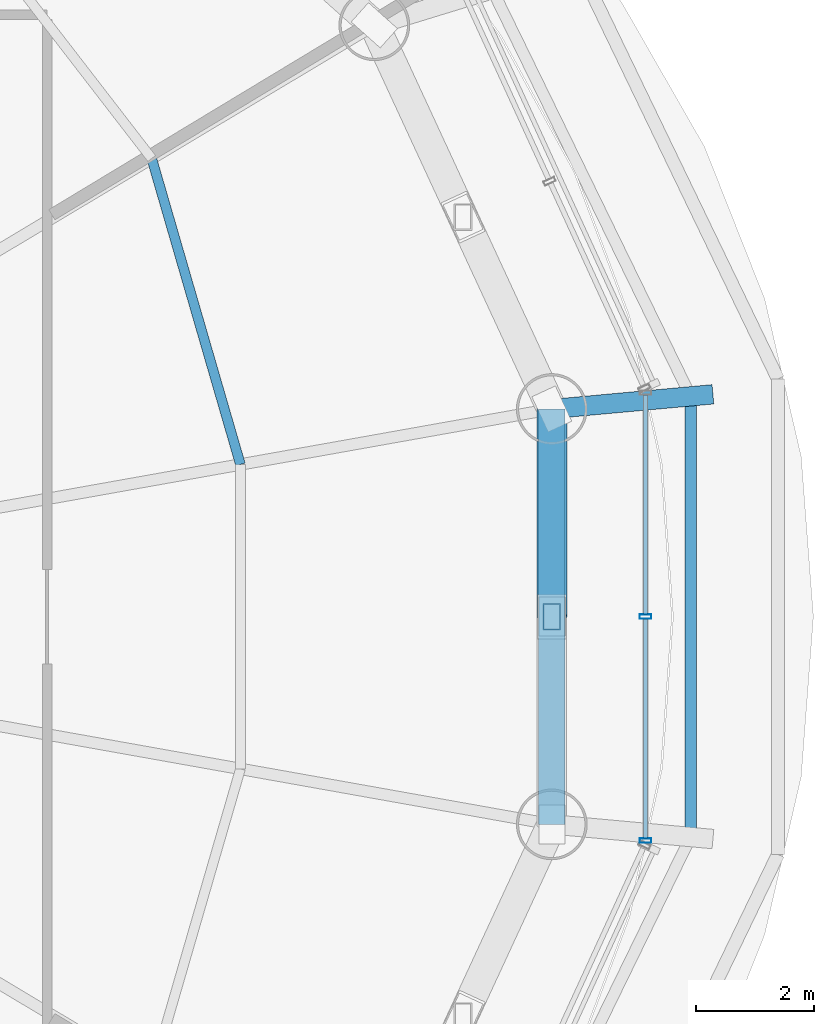
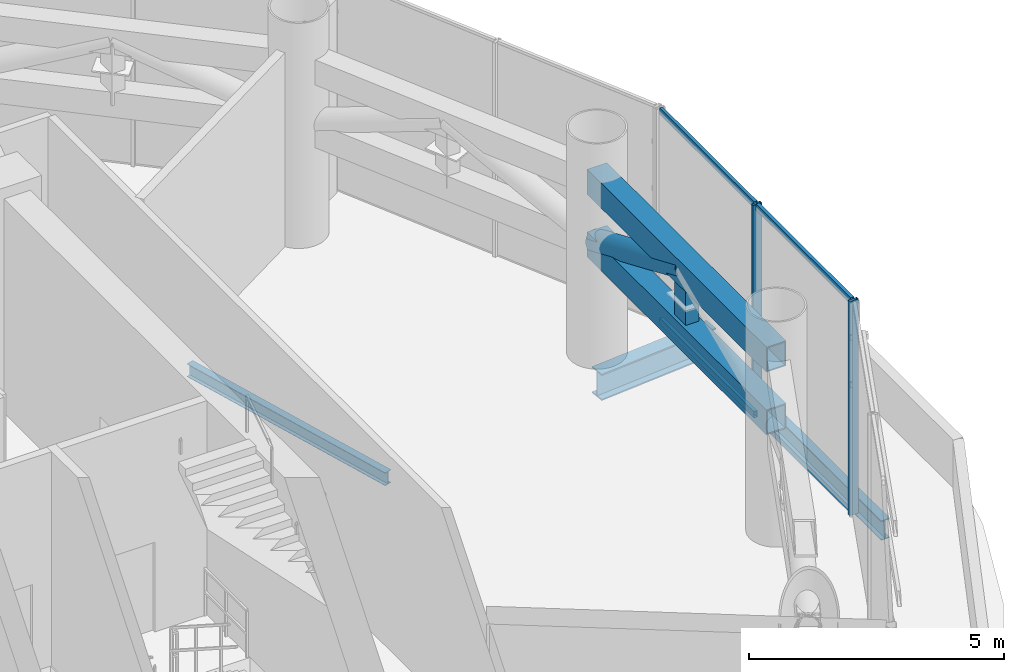
# One storey, part 12 of 25: 10 members, 3 beams, 1 element without a shape of its own.
"""IFC4 building model written with IfcOpenShell, lengths in metres."""

from ifc_helpers import new_model, si_unit, direction, frame, origin, origin_2d, place, context, subcontext, project, spatial, hollow_rectangle, hollow_circle, i_section, extrude, source, transform, mapped, material, material_profile, profile_set, type_object, element, aggregate, save


model = new_model("IFC4")

# Units and contexts
model_context = context("Model", 3, precision=1e-05, world=origin(), true_north=direction((-0.2419218956, 0.970295726276)))
body_context = subcontext(model_context, "Body", "Model", "MODEL_VIEW")
ifc_project = project(units=[si_unit("LENGTHUNIT", "METRE"), si_unit("AREAUNIT", "SQUARE_METRE"), si_unit("VOLUMEUNIT", "CUBIC_METRE"), si_unit("PLANEANGLEUNIT", "RADIAN"), si_unit("MASSUNIT", "GRAM", prefix="KILO")], contexts=[model_context])

# Site, building, storey
site_placement = place(None, origin())
site = spatial("IfcSite", under=ifc_project, at=site_placement, CompositionType="ELEMENT")
building_placement = place(site_placement, origin())
building = spatial("IfcBuilding", under=site, at=building_placement, Name="Cobrevalo Terracotta Tower", CompositionType="ELEMENT")
storey_placement = place(building_placement, frame((0.0, 0.0, 185.800048828125)))
storey = spatial("IfcBuildingStorey", under=building, at=storey_placement, Name="L49", CompositionType="ELEMENT", Elevation=185.800048828125)

# Beams
ifc_material_1 = material(Name="Steel S355", Category="steel")
ifc_material_profile_1 = material_profile(ifc_material_1, i_section(OverallWidth=0.3291015625, OverallDepth=0.635009765625, WebThickness=0.017822265625, FlangeThickness=0.031005859375, at=origin_2d()), Name="W 610x241")
ifc_profile_set_1 = profile_set([ifc_material_profile_1], Name="Steel S355")
beam_type_1 = type_object("IfcBeamType", Name="Structural Beam W 610x241 (Steel S355)", PredefinedType="BEAM", material=ifc_profile_set_1)
beam_1_placement = place(storey_placement, frame((60.4951171875, 30.570556640625, -0.767578125), z_axis=(-0.995863978382, -0.090856681434, 0.0), x_axis=(0.090856681434, -0.995863978382, 0.0)))
element("IfcBeam", 1, at=beam_1_placement, inside=storey, type_object=beam_type_1, Name="L49 setback step-link girder 01", PredefinedType="BEAM", context=body_context, shape_type="SweptSolid", body=[
    extrude(i_section(OverallWidth=0.3291015625, OverallDepth=0.635009765625, WebThickness=0.017822265625, FlangeThickness=0.031005859375, at=origin_2d()), origin(), (0.0, 0.0, 1.0), 2.743408203125),
])
ifc_material_profile_2 = material_profile(ifc_material_1, i_section(OverallWidth=0.1650390625, OverallDepth=0.31005859375, WebThickness=0.005859375, FlangeThickness=0.009765625, at=origin_2d()), Name="W 310x38.7")
ifc_profile_set_2 = profile_set([ifc_material_profile_2], Name="Steel S355")
beam_type_2 = type_object("IfcBeamType", Name="Structural Joist W 310x38.7 (Steel S355)", PredefinedType="JOIST", material=ifc_profile_set_2)
beam_2_placement = place(storey_placement, frame((52.48388671875, 29.380859375, -0.60498046875), z_axis=(-0.278503604802, 0.960435183712, 0.0), x_axis=(-0.960435183712, -0.278503604802, 0.0)))
element("IfcBeam", 2, at=beam_2_placement, inside=storey, type_object=beam_type_2, Name="L49 circumferential secondary floor joist 01", PredefinedType="JOIST", context=body_context, shape_type="SweptSolid", body=[
    extrude(i_section(OverallWidth=0.1650390625, OverallDepth=0.31005859375, WebThickness=0.005859375, FlangeThickness=0.009765625, at=origin_2d()), origin(), (0.0, 0.0, 1.0), 5.401611328125),
])
ifc_material_profile_3 = material_profile(ifc_material_1, i_section(OverallWidth=0.194091796875, OverallDepth=0.468994140625, WebThickness=0.011474609375, FlangeThickness=0.0205078125, at=origin_2d()), Name="W 460x106")
ifc_profile_set_3 = profile_set([ifc_material_profile_3], Name="Steel S355")
beam_type_3 = type_object("IfcBeamType", Name="Structural Spandrel W 460x106 (Steel S355)", PredefinedType="SPANDREL", material=ifc_profile_set_3)
beam_3_placement = place(storey_placement, frame((60.11669921875, 23.06396484375, -0.6845703125), z_axis=(0.0, 1.0, 0.0), x_axis=(-1.0, 0.0, 0.0)))
element("IfcBeam", 3, at=beam_3_placement, inside=storey, type_object=beam_type_3, Name="L49 perimeter ring spandrel 16", PredefinedType="SPANDREL", context=body_context, shape_type="SweptSolid", body=[
    extrude(i_section(OverallWidth=0.194091796875, OverallDepth=0.468994140625, WebThickness=0.011474609375, FlangeThickness=0.0205078125, at=origin_2d()), origin(), (0.0, 0.0, 1.0), 7.471923828125),
])

# Members
ifc_material_profile_4 = material_profile(ifc_material_1, hollow_rectangle(XDim=0.300048828125, YDim=0.449951171875, WallThickness=0.02001953125, at=origin_2d()), Name="RHS 450x300x20")
ifc_profile_set_4 = profile_set([ifc_material_profile_4], Name="Steel S355")
member_type_1 = type_object("IfcMemberType", Name="Steel Post RHS 450x300x20 (Steel S355)", PredefinedType="POST", material=ifc_profile_set_4)
shared_shape_1 = source(origin(), body_context, "Body", "SweptSolid", [
    extrude(hollow_rectangle(XDim=0.300048828125, YDim=0.449951171875, WallThickness=0.02001953125, at=origin_2d()), origin(), (0.0, 0.0, 1.0), 1.505126953125),
])
member_1_placement = place(storey_placement, frame((57.762939453125, 26.800048828125, 2.64990234375), z_axis=(0.0, 0.0, 1.0), x_axis=(1.0, 0.0, 0.0)))
element("IfcMember", 4, at=member_1_placement, inside=storey, type_object=member_type_1, Name="L49 belt truss post 16", PredefinedType="POST", context=body_context, shape_type="MappedRepresentation", body=[
    mapped(shared_shape_1, transform((0.0, 0.0, 0.0), scale=1.0)),
])
ifc_material_profile_5 = material_profile(ifc_material_1, hollow_rectangle(XDim=0.449951171875, YDim=0.60009765625, WallThickness=0.028076171875, at=origin_2d()), Name="RHS 600x450x28")
ifc_profile_set_5 = profile_set([ifc_material_profile_5], Name="Steel S355")
member_type_2 = type_object("IfcMemberType", Name="Steel Chord RHS 600x450x28 (Steel S355)", PredefinedType="CHORD", material=ifc_profile_set_5)
shared_shape_2 = source(origin(), body_context, "Body", "SweptSolid", [
    extrude(hollow_rectangle(XDim=0.449951171875, YDim=0.60009765625, WallThickness=0.028076171875, at=origin_2d()), origin(), (0.0, 0.0, 1.0), 7.042724609375),
])
for number, where, z_axis, x_axis, name in (
    (5, (57.762939453125, 23.278564453125, 2.64990234375), (0.0, 1.0, 0.0), (-1.0, 0.0, 0.0), "L49 belt truss chord 16-BC"),
    (6, (57.762939453125, 23.278564453125, 4.155029296875), (0.0, 1.0, 0.0), (-1.0, 0.0, 0.0), "L49 belt truss chord 16-TC"),
):
    element("IfcMember", number, at=place(storey_placement, frame(where, z_axis=z_axis, x_axis=x_axis)), inside=storey, type_object=member_type_2, Name=name, PredefinedType="CHORD", context=body_context, shape_type="MappedRepresentation", body=[
        mapped(shared_shape_2, transform((0.0, 0.0, 0.0), scale=1.0)),
    ])
ifc_material_profile_6 = material_profile(ifc_material_1, hollow_circle(Radius=0.25390625, WallThickness=0.02001953125, at=origin_2d()), Name="CHS 508x20")
ifc_profile_set_6 = profile_set([ifc_material_profile_6], Name="Steel S355")
member_type_3 = type_object("IfcMemberType", Name="Steel Brace CHS 508x20 (Steel S355)", PredefinedType="BRACE", material=ifc_profile_set_6)
shared_shape_3 = source(origin(), body_context, "Body", "SweptSolid", [
    extrude(hollow_circle(Radius=0.25390625, WallThickness=0.02001953125, at=origin_2d()), origin(), (0.0, 0.0, 1.0), 3.829345703125),
])
member_2_placement = place(storey_placement, frame((57.762939453125, 30.3212890625, 2.64990234375), z_axis=(0.0, -0.919520538835, 0.393041955343), x_axis=(1.0, 0.0, 0.0)))
element("IfcMember", 7, at=member_2_placement, inside=storey, type_object=member_type_3, Name="L49 belt truss diagonal brace 16-D2", PredefinedType="BRACE", context=body_context, shape_type="MappedRepresentation", body=[
    mapped(shared_shape_3, transform((0.0, 0.0, 0.0), scale=1.0)),
])

# Curtain wall, members
ifc_material_2 = material(Name="Anodized aluminium", Category="aluminium")
curtain_wall_type = type_object("IfcCurtainWallType", Name="Belt-truss plant acoustic weather-louvre curtain wall CW-LV", PredefinedType="NOTDEFINED", material=ifc_material_2)
curtain_wall_placement = place(storey_placement, origin())
curtain_wall = element("IfcCurtainWall", 8, at=curtain_wall_placement, inside=storey, type_object=curtain_wall_type, Name="L49 curtain wall CW-LV-L49-S16", PredefinedType="NOTDEFINED")
ifc_material_profile_7 = material_profile(ifc_material_2, hollow_rectangle(XDim=0.074951171875, YDim=0.199951171875, WallThickness=0.0048828125, at=origin_2d()), Name="CWM 75x200")
ifc_profile_set_7 = profile_set([ifc_material_profile_7], Name="Anodized aluminium")
member_type_4 = type_object("IfcMemberType", Name="Lower/mid tower unitised mullion 75x200", PredefinedType="MULLION", material=ifc_profile_set_7)
shared_shape_4 = source(origin(), body_context, "Body", "SweptSolid", [
    extrude(hollow_rectangle(XDim=0.074951171875, YDim=0.199951171875, WallThickness=0.0048828125, at=origin_2d()), origin(), (0.0, 0.0, 1.0), 5.135009765625),
])
member_3_placement = place(storey_placement, frame((59.351806640625, 23.002685546875, 0.0), z_axis=(0.0, 0.0, 1.0), x_axis=(0.0, 1.0, 0.0)))
member_3 = element("IfcMember", 9, at=member_3_placement, type_object=member_type_4, Name="CW-LV-L49-S16 vertical mullion 01", PredefinedType="MULLION", context=body_context, shape_type="MappedRepresentation", body=[
    mapped(shared_shape_4, transform((0.0, 0.0, 0.0), scale=1.0)),
])
member_4_placement = place(storey_placement, frame((59.351806640625, 26.800048828125, 0.0), z_axis=(0.0, 0.0, 1.0), x_axis=(0.0, 1.0, 0.0)))
member_4 = element("IfcMember", 10, at=member_4_placement, type_object=member_type_4, Name="CW-LV-L49-S16 vertical mullion 02", PredefinedType="MULLION", context=body_context, shape_type="MappedRepresentation", body=[
    mapped(shared_shape_4, transform((0.0, 0.0, 0.0), scale=1.0)),
])
ifc_material_profile_8 = material_profile(ifc_material_2, hollow_rectangle(XDim=0.074951171875, YDim=0.14990234375, WallThickness=0.00439453125, at=origin_2d()), Name="CWT 75x150")
ifc_profile_set_8 = profile_set([ifc_material_profile_8], Name="Anodized aluminium")
member_type_5 = type_object("IfcMemberType", Name="Tower unitised aluminium transom 75x150", PredefinedType="USERDEFINED", material=ifc_profile_set_8)
shared_shape_5 = source(origin(), body_context, "Body", "SweptSolid", [
    extrude(hollow_rectangle(XDim=0.074951171875, YDim=0.14990234375, WallThickness=0.00439453125, at=origin_2d()), origin(), (0.0, 0.0, 1.0), 3.71728515625),
])
member_5_placement = place(storey_placement, frame((59.351806640625, 26.840087890625, 0.050048828125), z_axis=(0.0, 1.0, 0.0), x_axis=(-1.0, 0.0, 0.0)))
member_5 = element("IfcMember", 11, at=member_5_placement, type_object=member_type_5, Name="CW-LV-L49-S16 transom B02-T1", ObjectType="TRANSOM", PredefinedType="USERDEFINED", context=body_context, shape_type="MappedRepresentation", body=[
    mapped(shared_shape_5, transform((0.0, 0.0, 0.0), scale=1.0)),
])
member_6_placement = place(storey_placement, frame((59.351806640625, 26.840087890625, 5.0849609375), z_axis=(0.0, 1.0, 0.0), x_axis=(-1.0, 0.0, 0.0)))
member_6 = element("IfcMember", 12, at=member_6_placement, type_object=member_type_5, Name="CW-LV-L49-S16 transom B02-T2", ObjectType="TRANSOM", PredefinedType="USERDEFINED", context=body_context, shape_type="MappedRepresentation", body=[
    mapped(shared_shape_5, transform((0.0, 0.0, 0.0), scale=1.0)),
])
shared_shape_6 = source(origin(), body_context, "Body", "SweptSolid", [
    extrude(hollow_rectangle(XDim=0.074951171875, YDim=0.14990234375, WallThickness=0.00439453125, at=origin_2d()), origin(), (0.0, 0.0, 1.0), 3.717529296875),
])
member_7_placement = place(storey_placement, frame((59.351806640625, 23.04248046875, 0.050048828125), z_axis=(0.0, 1.0, 0.0), x_axis=(-1.0, 0.0, 0.0)))
member_7 = element("IfcMember", 13, at=member_7_placement, type_object=member_type_5, Name="CW-LV-L49-S16 transom B01-T1", ObjectType="TRANSOM", PredefinedType="USERDEFINED", context=body_context, shape_type="MappedRepresentation", body=[
    mapped(shared_shape_6, transform((0.0, 0.0, 0.0), scale=1.0)),
])
member_8_placement = place(storey_placement, frame((59.351806640625, 23.04248046875, 5.0849609375), z_axis=(0.0, 1.0, 0.0), x_axis=(-1.0, 0.0, 0.0)))
member_8 = element("IfcMember", 14, at=member_8_placement, type_object=member_type_5, Name="CW-LV-L49-S16 transom B01-T2", ObjectType="TRANSOM", PredefinedType="USERDEFINED", context=body_context, shape_type="MappedRepresentation", body=[
    mapped(shared_shape_6, transform((0.0, 0.0, 0.0), scale=1.0)),
])
aggregate(curtain_wall, [member_3, member_4, member_7, member_8, member_5, member_6])

save(model, "model.ifc")
